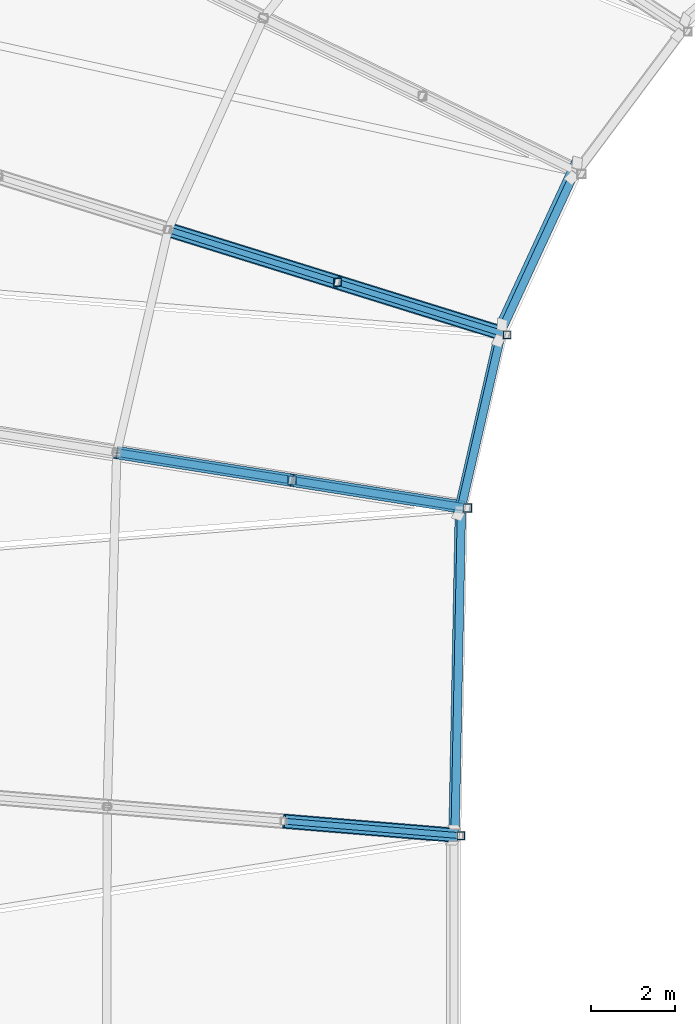
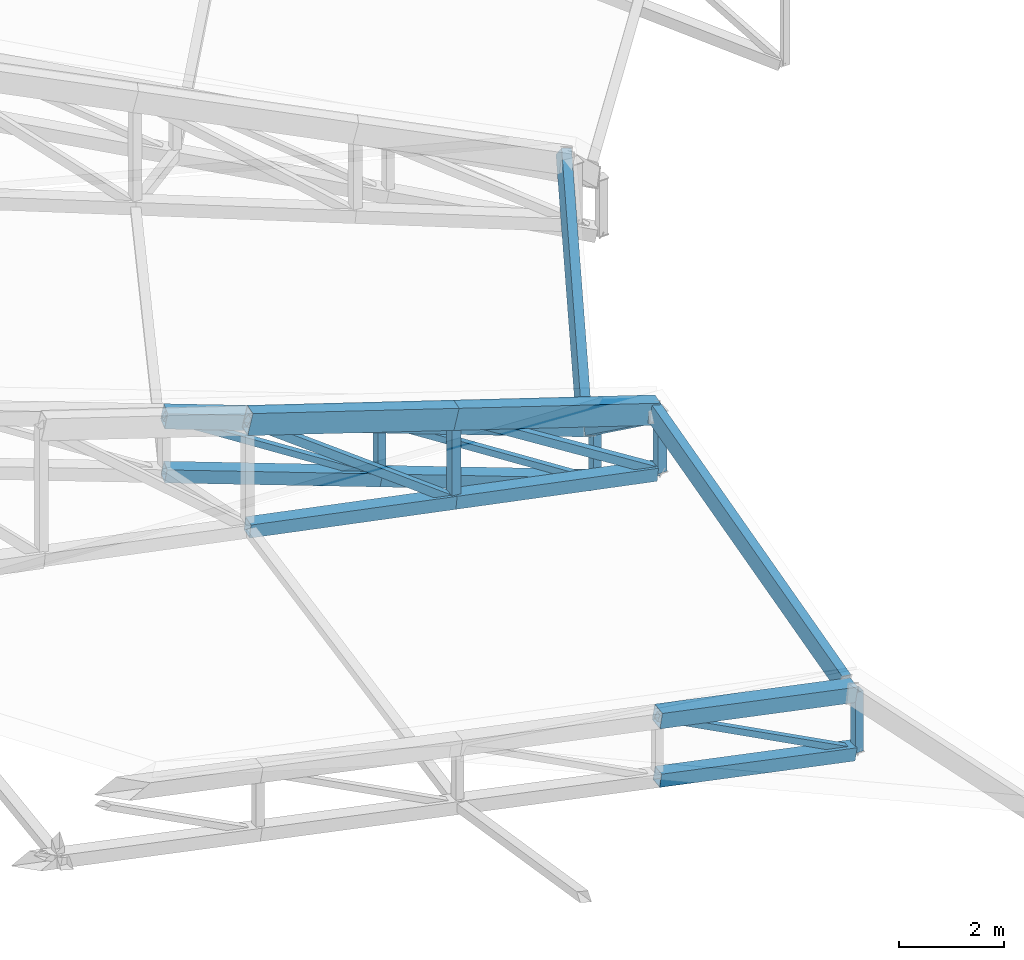
# One storey, part 126 of 344: 20 members, 3 beams.
"""IFC4 building model written with IfcOpenShell, lengths in metres."""

from ifc_helpers import new_model, si_unit, direction, frame, origin, origin_2d, place, context, subcontext, project, spatial, hollow_rectangle, extrude, material, material_profile, profile_set, type_object, element, save


model = new_model("IFC4")

# Units and contexts
model_context = context("Model", 3, precision=1e-05, world=origin(), true_north=direction((0.0, 1.0)))
body_context = subcontext(model_context, "Body", "Model", "MODEL_VIEW")
ifc_project = project(units=[si_unit("LENGTHUNIT", "METRE"), si_unit("AREAUNIT", "SQUARE_METRE"), si_unit("VOLUMEUNIT", "CUBIC_METRE"), si_unit("PLANEANGLEUNIT", "RADIAN"), si_unit("MASSUNIT", "GRAM", prefix="KILO")], contexts=[model_context])

# Site, building, storey
site_placement = place(None, origin())
site = spatial("IfcSite", under=ifc_project, at=site_placement, CompositionType="ELEMENT")
building_placement = place(site_placement, origin())
building = spatial("IfcBuilding", under=site, at=building_placement, Name="Meseta Stadium", CompositionType="ELEMENT")
storey_placement = place(building_placement, frame((0.0, 0.0, 24.0)))
storey = spatial("IfcBuildingStorey", under=building, at=storey_placement, Name="L04", CompositionType="ELEMENT", Elevation=24.0)

# Beams
ifc_material_1 = material(Name="Steel S355", Category="steel")
ifc_material_profile_1 = material_profile(ifc_material_1, hollow_rectangle(XDim=0.199951171875, YDim=0.39990234375, WallThickness=0.01611328125, at=origin_2d()), Name="RHS 400x200x16")
ifc_profile_set_1 = profile_set([ifc_material_profile_1], Name="Steel S355")
beam_type = type_object("IfcBeamType", Name="RHS 400x200x16 tip ring beam", PredefinedType="BEAM", material=ifc_profile_set_1)
beam_1_placement = place(storey_placement, frame((-44.221435546875, 55.826904296875, 4.397705078125), z_axis=(-0.336523650185, -0.72627745896, -0.599393764959), x_axis=(0.940406406586, -0.292226814762, -0.173894448407)))
element("IfcBeam", 1, at=beam_1_placement, inside=storey, type_object=beam_type, Name="TIP RING BEAM 27", PredefinedType="BEAM", context=body_context, shape_type="SweptSolid", body=[
    extrude(hollow_rectangle(XDim=0.199951171875, YDim=0.39990234375, WallThickness=0.01611328125, at=origin_2d()), origin(), (0.0, 0.0, 1.0), 5.28369140625),
])
beam_2_placement = place(storey_placement, frame((-46.08740234375, 51.6083984375, 1.22265625), z_axis=(-0.180093337208, -0.783503641018, 0.594717104517), x_axis=(0.947290049657, -0.301009952876, -0.109702188181)))
element("IfcBeam", 2, at=beam_2_placement, inside=storey, type_object=beam_type, Name="TIP RING BEAM 28", PredefinedType="BEAM", context=body_context, shape_type="SweptSolid", body=[
    extrude(hollow_rectangle(XDim=0.199951171875, YDim=0.39990234375, WallThickness=0.01611328125, at=origin_2d()), origin(), (0.0, 0.0, 1.0), 5.251708984375),
])
beam_3_placement = place(storey_placement, frame((-46.99462890625, 47.6171875, 4.311279296875), z_axis=(-0.019134834315, -0.974776846942, -0.222359971177), x_axis=(0.991697196148, 0.009782302811, -0.128222375987)))
element("IfcBeam", 3, at=beam_3_placement, inside=storey, type_object=beam_type, Name="TIP RING BEAM 29", PredefinedType="BEAM", context=body_context, shape_type="SweptSolid", body=[
    extrude(hollow_rectangle(XDim=0.199951171875, YDim=0.39990234375, WallThickness=0.01611328125, at=origin_2d()), origin(), (0.0, 0.0, 1.0), 7.770263671875),
])

# Members
ifc_material_2 = material(Name="Steel S355", Category="steel")
ifc_material_profile_2 = material_profile(ifc_material_2, hollow_rectangle(XDim=0.300048828125, YDim=0.5, WallThickness=0.01611328125, at=origin_2d()), Name="RHS 500x300x16")
ifc_profile_set_2 = profile_set([ifc_material_profile_2], Name="Steel S355")
member_type_1 = type_object("IfcMemberType", Name="RHS 500x300x16 top chord", PredefinedType="CHORD", material=ifc_profile_set_2)
member_1_placement = place(storey_placement, frame((-46.92578125, 47.648681640625, 4.26708984375), z_axis=(-0.964240298657, 0.15243398501, 0.2168052736), x_axis=(-0.156147985059, -0.987733671979, 0.0)))
element("IfcMember", 4, at=member_1_placement, inside=storey, type_object=member_type_1, Name="ROOF TRUSS RT-28 top chord", PredefinedType="CHORD", context=body_context, shape_type="SweptSolid", body=[
    extrude(hollow_rectangle(XDim=0.300048828125, YDim=0.5, WallThickness=0.01611328125, at=origin_2d()), origin(), (0.0, 0.0, 1.0), 4.22509765625),
])
member_2_placement = place(storey_placement, frame((-50.999755859375, 48.292724609375, 5.18310546875), z_axis=(-0.964261885476, 0.152355861661, 0.216764175168), x_axis=(-0.156066499211, -0.987746550398, 0.0)))
element("IfcMember", 5, at=member_2_placement, inside=storey, type_object=member_type_1, Name="ROOF TRUSS RT-28 top chord", PredefinedType="CHORD", context=body_context, shape_type="SweptSolid", body=[
    extrude(hollow_rectangle(XDim=0.300048828125, YDim=0.5, WallThickness=0.01611328125, at=origin_2d()), origin(), (0.0, 0.0, 1.0), 4.324951171875),
])
ifc_material_3 = material(Name="Steel S355", Category="steel")
ifc_material_profile_3 = material_profile(ifc_material_3, hollow_rectangle(XDim=0.139892578125, YDim=0.139892578125, WallThickness=0.0048828125, at=origin_2d()), Name="SHS 140x140x5")
ifc_profile_set_3 = profile_set([ifc_material_profile_3], Name="Steel S355")
member_type_2 = type_object("IfcMemberType", Name="SHS 140x140x5 diagonal", PredefinedType="BRACE", material=ifc_profile_set_3)
for number, where, z_axis, x_axis, name in (
    (6, (-45.883544921875, 51.749267578125, -0.221435546875), (-0.859278691546, 0.267243269939, 0.436143514142), (-0.296977513201, -0.954884472935, 0.0), "ROOF TRUSS RT-27 diagonal"),
    (7, (-49.915283203125, 53.003173828125, 0.52490234375), (-0.859290639384, 0.267194951752, 0.436149578498), (-0.296924788831, -0.954900869084, 0.0), "ROOF TRUSS RT-27 diagonal"),
):
    element("IfcMember", number, at=place(storey_placement, frame(where, z_axis=z_axis, x_axis=x_axis)), inside=storey, type_object=member_type_2, Name=name, PredefinedType="BRACE", context=body_context, shape_type="SweptSolid", body=[
        extrude(hollow_rectangle(XDim=0.139892578125, YDim=0.139892578125, WallThickness=0.0048828125, at=origin_2d()), origin(), (0.0, 0.0, 1.0), 4.69189453125),
    ])
member_3_placement = place(storey_placement, frame((-46.982421875, 39.834228515625, 1.0986328125), z_axis=(-0.897420022846, 0.073778380852, 0.434964427411), x_axis=(-0.081935226242, -0.996637656674, 0.0)))
element("IfcMember", 8, at=member_3_placement, inside=storey, type_object=member_type_2, Name="ROOF TRUSS RT-29 diagonal", PredefinedType="BRACE", context=body_context, shape_type="SweptSolid", body=[
    extrude(hollow_rectangle(XDim=0.139892578125, YDim=0.139892578125, WallThickness=0.0048828125, at=origin_2d()), origin(), (0.0, 0.0, 1.0), 4.68896484375),
])
ifc_material_4 = material(Name="Steel S355", Category="steel")
ifc_material_profile_4 = material_profile(ifc_material_4, hollow_rectangle(XDim=0.179931640625, YDim=0.179931640625, WallThickness=0.00634765625, at=origin_2d()), Name="SHS 180x180x6.3")
ifc_profile_set_4 = profile_set([ifc_material_profile_4], Name="Steel S355")
member_type_3 = type_object("IfcMemberType", Name="SHS 180x180x6.3 diagonal", PredefinedType="BRACE", material=ifc_profile_set_4)
member_4_placement = place(storey_placement, frame((-46.829345703125, 47.633544921875, 2.845458984375), z_axis=(-0.864133207101, 0.136585859921, 0.484373929165), x_axis=(-0.15612291387, -0.987737635086, 0.0)))
element("IfcMember", 9, at=member_4_placement, inside=storey, type_object=member_type_3, Name="ROOF TRUSS RT-28 diagonal", PredefinedType="BRACE", context=body_context, shape_type="SweptSolid", body=[
    extrude(hollow_rectangle(XDim=0.179931640625, YDim=0.179931640625, WallThickness=0.00634765625, at=origin_2d()), origin(), (0.0, 0.0, 1.0), 4.826171875),
])
member_5_placement = place(storey_placement, frame((-50.999755859375, 48.292724609375, 3.23486328125), z_axis=(-0.81547284386, 0.128846809834, 0.564271690342), x_axis=(-0.156066499211, -0.987746550398, 0.0)))
element("IfcMember", 10, at=member_5_placement, inside=storey, type_object=member_type_3, Name="ROOF TRUSS RT-28 diagonal", PredefinedType="BRACE", context=body_context, shape_type="SweptSolid", body=[
    extrude(hollow_rectangle(XDim=0.179931640625, YDim=0.179931640625, WallThickness=0.00634765625, at=origin_2d()), origin(), (0.0, 0.0, 1.0), 5.114013671875),
])
ifc_material_5 = material(Name="Steel S355", Category="steel")
ifc_material_profile_5 = material_profile(ifc_material_5, hollow_rectangle(XDim=0.179931640625, YDim=0.179931640625, WallThickness=0.00634765625, at=origin_2d()), Name="SHS 180x180x6.3")
ifc_profile_set_5 = profile_set([ifc_material_profile_5], Name="Steel S355")
member_type_4 = type_object("IfcMemberType", Name="SHS 180x180x6.3 post", PredefinedType="POST", material=ifc_profile_set_5)
member_6_placement = place(storey_placement, frame((-49.915283203125, 53.003173828125, 0.52490234375), z_axis=(0.0, 0.0, 1.0), x_axis=(1.0, 0.0, 0.0)))
element("IfcMember", 11, at=member_6_placement, inside=storey, type_object=member_type_4, Name="ROOF TRUSS RT-27 post", PredefinedType="POST", context=body_context, shape_type="SweptSolid", body=[
    extrude(hollow_rectangle(XDim=0.179931640625, YDim=0.179931640625, WallThickness=0.00634765625, at=origin_2d()), origin(), (0.0, 0.0, 1.0), 1.300048828125),
])
ifc_material_6 = material(Name="Steel S355", Category="steel")
ifc_material_profile_6 = material_profile(ifc_material_6, hollow_rectangle(XDim=0.179931640625, YDim=0.179931640625, WallThickness=0.00634765625, at=origin_2d()), Name="SHS 180x180x6.3")
ifc_profile_set_6 = profile_set([ifc_material_profile_6], Name="Steel S355")
member_type_5 = type_object("IfcMemberType", Name="SHS 180x180x6.3 rim post", PredefinedType="POST", material=ifc_profile_set_6)
member_7_placement = place(storey_placement, frame((-45.883544921875, 51.749267578125, -0.221435546875), z_axis=(0.0, 0.0, 1.0), x_axis=(1.0, 0.0, 0.0)))
element("IfcMember", 12, at=member_7_placement, inside=storey, type_object=member_type_5, Name="ROOF TRUSS RT-27 post", PredefinedType="POST", context=body_context, shape_type="SweptSolid", body=[
    extrude(hollow_rectangle(XDim=0.179931640625, YDim=0.179931640625, WallThickness=0.00634765625, at=origin_2d()), origin(), (0.0, 0.0, 1.0), 1.300048828125),
])
member_8_placement = place(storey_placement, frame((-46.982421875, 39.834228515625, 1.0986328125), z_axis=(0.0, 0.0, 1.0), x_axis=(1.0, 0.0, 0.0)))
element("IfcMember", 13, at=member_8_placement, inside=storey, type_object=member_type_5, Name="ROOF TRUSS RT-29 post", PredefinedType="POST", context=body_context, shape_type="SweptSolid", body=[
    extrude(hollow_rectangle(XDim=0.179931640625, YDim=0.179931640625, WallThickness=0.00634765625, at=origin_2d()), origin(), (0.0, 0.0, 1.0), 1.406005859375),
])
ifc_material_7 = material(Name="Steel S355", Category="steel")
ifc_material_profile_7 = material_profile(ifc_material_7, hollow_rectangle(XDim=0.199951171875, YDim=0.199951171875, WallThickness=0.008056640625, at=origin_2d()), Name="SHS 200x200x8")
ifc_profile_set_7 = profile_set([ifc_material_profile_7], Name="Steel S355")
member_type_6 = type_object("IfcMemberType", Name="SHS 200x200x8 post", PredefinedType="POST", material=ifc_profile_set_7)
member_9_placement = place(storey_placement, frame((-50.999755859375, 48.292724609375, 3.23486328125), z_axis=(0.0, 0.0, 1.0), x_axis=(1.0, 0.0, 0.0)))
element("IfcMember", 14, at=member_9_placement, inside=storey, type_object=member_type_6, Name="ROOF TRUSS RT-28 post", PredefinedType="POST", context=body_context, shape_type="SweptSolid", body=[
    extrude(hollow_rectangle(XDim=0.199951171875, YDim=0.199951171875, WallThickness=0.008056640625, at=origin_2d()), origin(), (0.0, 0.0, 1.0), 1.9482421875),
])
ifc_material_8 = material(Name="Steel S355", Category="steel")
ifc_material_profile_8 = material_profile(ifc_material_8, hollow_rectangle(XDim=0.199951171875, YDim=0.199951171875, WallThickness=0.008056640625, at=origin_2d()), Name="SHS 200x200x8")
ifc_profile_set_8 = profile_set([ifc_material_profile_8], Name="Steel S355")
member_type_7 = type_object("IfcMemberType", Name="SHS 200x200x8 rim post", PredefinedType="POST", material=ifc_profile_set_8)
member_10_placement = place(storey_placement, frame((-46.829345703125, 47.633544921875, 2.845458984375), z_axis=(0.0, 0.0, 1.0), x_axis=(1.0, 0.0, 0.0)))
element("IfcMember", 15, at=member_10_placement, inside=storey, type_object=member_type_7, Name="ROOF TRUSS RT-28 post", PredefinedType="POST", context=body_context, shape_type="SweptSolid", body=[
    extrude(hollow_rectangle(XDim=0.199951171875, YDim=0.199951171875, WallThickness=0.008056640625, at=origin_2d()), origin(), (0.0, 0.0, 1.0), 1.39990234375),
])
ifc_material_9 = material(Name="Steel S355", Category="steel")
ifc_material_profile_9 = material_profile(ifc_material_9, hollow_rectangle(XDim=0.300048828125, YDim=0.300048828125, WallThickness=0.010009765625, at=origin_2d()), Name="SHS 300x300x10")
ifc_profile_set_9 = profile_set([ifc_material_profile_9], Name="Steel S355")
member_type_8 = type_object("IfcMemberType", Name="SHS 300x300x10 bottom chord", PredefinedType="CHORD", material=ifc_profile_set_9)
member_11_placement = place(storey_placement, frame((-45.968017578125, 51.775634765625, -0.205810546875), z_axis=(-0.940313038976, 0.292422931715, 0.174069577292), x_axis=(-0.296956460302, -0.954891020319, 0.0)))
element("IfcMember", 16, at=member_11_placement, inside=storey, type_object=member_type_8, Name="ROOF TRUSS RT-27 bottom chord", PredefinedType="CHORD", context=body_context, shape_type="SweptSolid", body=[
    extrude(hollow_rectangle(XDim=0.300048828125, YDim=0.300048828125, WallThickness=0.010009765625, at=origin_2d()), origin(), (0.0, 0.0, 1.0), 4.19775390625),
])
member_12_placement = place(storey_placement, frame((-49.915283203125, 53.003173828125, 0.52490234375), z_axis=(-0.940322919672, 0.292391800443, 0.174068497362), x_axis=(-0.296924788831, -0.954900869084, 0.0)))
element("IfcMember", 17, at=member_12_placement, inside=storey, type_object=member_type_8, Name="ROOF TRUSS RT-27 bottom chord", PredefinedType="CHORD", context=body_context, shape_type="SweptSolid", body=[
    extrude(hollow_rectangle(XDim=0.300048828125, YDim=0.300048828125, WallThickness=0.010009765625, at=origin_2d()), origin(), (0.0, 0.0, 1.0), 4.28759765625),
])
member_13_placement = place(storey_placement, frame((-46.927734375, 47.649169921875, 2.854736328125), z_axis=(-0.983568072123, 0.155446096176, 0.091816984729), x_axis=(-0.156105501559, -0.987740387138, 0.0)))
element("IfcMember", 18, at=member_13_placement, inside=storey, type_object=member_type_8, Name="ROOF TRUSS RT-28 bottom chord", PredefinedType="CHORD", context=body_context, shape_type="SweptSolid", body=[
    extrude(hollow_rectangle(XDim=0.300048828125, YDim=0.300048828125, WallThickness=0.010009765625, at=origin_2d()), origin(), (0.0, 0.0, 1.0), 4.14013671875),
])
member_14_placement = place(storey_placement, frame((-50.999755859375, 48.292724609375, 3.23486328125), z_axis=(-0.983572183579, 0.155406938501, 0.091839224494), x_axis=(-0.156066499211, -0.987746550398, 0.0)))
element("IfcMember", 19, at=member_14_placement, inside=storey, type_object=member_type_8, Name="ROOF TRUSS RT-28 bottom chord", PredefinedType="CHORD", context=body_context, shape_type="SweptSolid", body=[
    extrude(hollow_rectangle(XDim=0.300048828125, YDim=0.300048828125, WallThickness=0.010009765625, at=origin_2d()), origin(), (0.0, 0.0, 1.0), 4.239990234375),
])
member_15_placement = place(storey_placement, frame((-47.071044921875, 39.841552734375, 1.112060546875), z_axis=(-0.98560757479, 0.081019244132, 0.148369776564), x_axis=(-0.081926004933, -0.99663841473, 0.0)))
element("IfcMember", 20, at=member_15_placement, inside=storey, type_object=member_type_8, Name="ROOF TRUSS RT-29 bottom chord", PredefinedType="CHORD", context=body_context, shape_type="SweptSolid", body=[
    extrude(hollow_rectangle(XDim=0.300048828125, YDim=0.300048828125, WallThickness=0.010009765625, at=origin_2d()), origin(), (0.0, 0.0, 1.0), 4.179443359375),
])
ifc_material_10 = material(Name="Steel S355", Category="steel")
ifc_material_profile_10 = material_profile(ifc_material_10, hollow_rectangle(XDim=0.35009765625, YDim=0.35009765625, WallThickness=0.010009765625, at=origin_2d()), Name="SHS 350x350x10")
ifc_profile_set_10 = profile_set([ifc_material_profile_10], Name="Steel S355")
member_type_9 = type_object("IfcMemberType", Name="SHS 350x350x10 top chord", PredefinedType="CHORD", material=ifc_profile_set_10)
member_16_placement = place(storey_placement, frame((-45.968017578125, 51.775634765625, 1.09423828125), z_axis=(-0.940313038976, 0.292422931715, 0.174069577292), x_axis=(-0.296956460302, -0.954891020319, 0.0)))
element("IfcMember", 21, at=member_16_placement, inside=storey, type_object=member_type_9, Name="ROOF TRUSS RT-27 top chord", PredefinedType="CHORD", context=body_context, shape_type="SweptSolid", body=[
    extrude(hollow_rectangle(XDim=0.35009765625, YDim=0.35009765625, WallThickness=0.010009765625, at=origin_2d()), origin(), (0.0, 0.0, 1.0), 4.19775390625),
])
member_17_placement = place(storey_placement, frame((-49.915283203125, 53.003173828125, 1.824951171875), z_axis=(-0.940322919672, 0.292391800443, 0.174068497362), x_axis=(-0.296924788831, -0.954900869084, 0.0)))
element("IfcMember", 22, at=member_17_placement, inside=storey, type_object=member_type_9, Name="ROOF TRUSS RT-27 top chord", PredefinedType="CHORD", context=body_context, shape_type="SweptSolid", body=[
    extrude(hollow_rectangle(XDim=0.35009765625, YDim=0.35009765625, WallThickness=0.010009765625, at=origin_2d()), origin(), (0.0, 0.0, 1.0), 4.28759765625),
])
member_18_placement = place(storey_placement, frame((-47.071044921875, 39.841552734375, 2.51806640625), z_axis=(-0.98560757479, 0.081019244132, 0.148369776564), x_axis=(-0.081926004933, -0.99663841473, 0.0)))
element("IfcMember", 23, at=member_18_placement, inside=storey, type_object=member_type_9, Name="ROOF TRUSS RT-29 top chord", PredefinedType="CHORD", context=body_context, shape_type="SweptSolid", body=[
    extrude(hollow_rectangle(XDim=0.35009765625, YDim=0.35009765625, WallThickness=0.010009765625, at=origin_2d()), origin(), (0.0, 0.0, 1.0), 4.179443359375),
])

save(model, "model.ifc")
